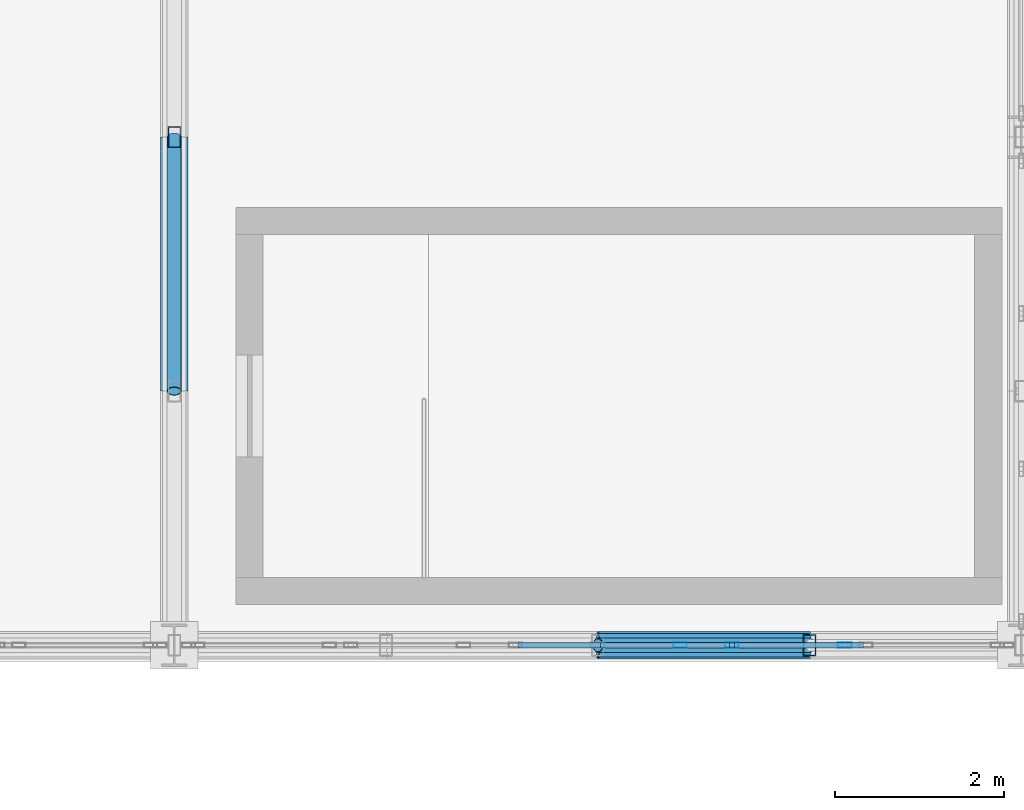
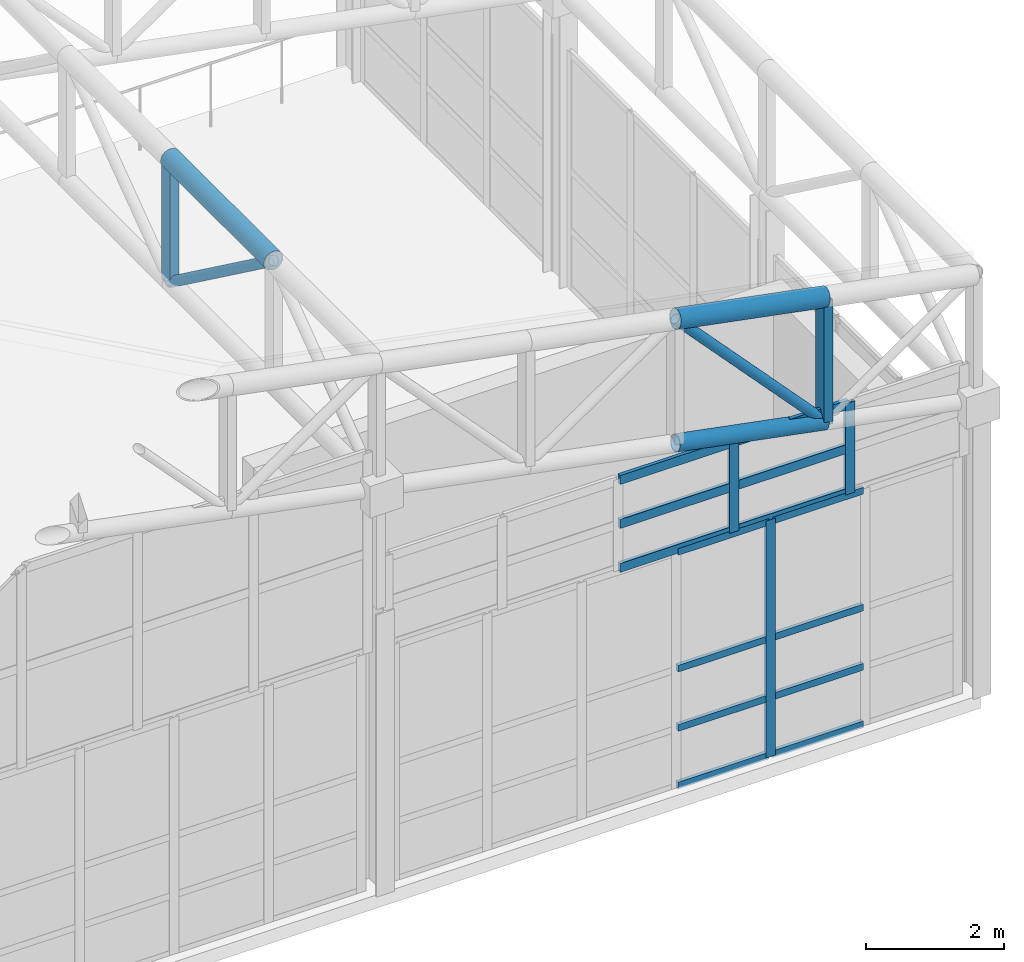
# One storey, part 52 of 112: 24 members, 2 elements without a shape of their own.
"""IFC4 building model written with IfcOpenShell, lengths in metres."""

from ifc_helpers import new_model, si_unit, direction, frame, origin, origin_2d, place, context, subcontext, project, spatial, hollow_rectangle, hollow_circle, extrude, material, material_profile, profile_set, type_object, element, aggregate, save


model = new_model("IFC4")

# Units and contexts
model_context = context("Model", 3, precision=1e-05, world=origin(), true_north=direction((0.0, 1.0)))
body_context = subcontext(model_context, "Body", "Model", "MODEL_VIEW")
ifc_project = project(units=[si_unit("LENGTHUNIT", "METRE"), si_unit("AREAUNIT", "SQUARE_METRE"), si_unit("VOLUMEUNIT", "CUBIC_METRE"), si_unit("PLANEANGLEUNIT", "RADIAN"), si_unit("MASSUNIT", "GRAM", prefix="KILO")], contexts=[model_context])

# Site, building, storey
site_placement = place(None, origin())
site = spatial("IfcSite", under=ifc_project, at=site_placement, CompositionType="ELEMENT")
building_placement = place(site_placement, origin())
building = spatial("IfcBuilding", under=site, at=building_placement, Name="Kaldris Quays Convention Centre", CompositionType="ELEMENT")
storey_placement = place(building_placement, frame((0.0, 0.0, 16.800048828125)))
storey = spatial("IfcBuildingStorey", under=building, at=storey_placement, Name="L03", CompositionType="ELEMENT", Elevation=16.800048828125)

# Curtain wall, member
ifc_material_1 = material(Name="Anodized aluminium AW-6060 and triple glazing", Category="aluminium")
curtain_wall_type_1 = type_object("IfcCurtainWallType", Name="UNITISED CURTAIN WALL CW01", PredefinedType="NOTDEFINED", material=ifc_material_1)
curtain_wall_1_placement = place(storey_placement, origin())
curtain_wall_1 = element("IfcCurtainWall", 1, at=curtain_wall_1_placement, inside=storey, type_object=curtain_wall_type_1, Name="L03 Unitised Curtain Wall CW01 39", PredefinedType="NOTDEFINED")
ifc_material_2 = material(Name="Anodized aluminium AW-6060", Category="aluminium")
ifc_material_profile_1 = material_profile(ifc_material_2, hollow_rectangle(XDim=0.06005859375, YDim=0.159912109375, WallThickness=0.00390625, at=origin_2d()), Name="RHS 160x60x4")
ifc_profile_set_1 = profile_set([ifc_material_profile_1], Name="Anodized aluminium AW-6060")
member_type_1 = type_object("IfcMemberType", Name="CURTAIN MULLION CWM1", PredefinedType="MULLION", material=ifc_profile_set_1)
member_1_placement = place(storey_placement, frame((200.583251953125, 56.0, 0.0), z_axis=(0.0, 0.0, 1.0), x_axis=(0.0, 1.0, 0.0)))
member_1 = element("IfcMember", 2, at=member_1_placement, type_object=member_type_1, Name="CW01 mullion 5", PredefinedType="MULLION", context=body_context, shape_type="SweptSolid", body=[
    extrude(hollow_rectangle(XDim=0.06005859375, YDim=0.159912109375, WallThickness=0.00390625, at=origin_2d()), origin(), (0.0, 0.0, 1.0), 4.199951171875),
])

# Curtain wall, members
curtain_wall_type_2 = type_object("IfcCurtainWallType", Name="UNITISED CURTAIN WALL CW05", PredefinedType="NOTDEFINED", material=ifc_material_1)
curtain_wall_2_placement = place(storey_placement, origin())
curtain_wall_2 = element("IfcCurtainWall", 3, at=curtain_wall_2_placement, inside=storey, type_object=curtain_wall_type_2, Name="L03 Unitised Curtain Wall CW05 258", PredefinedType="NOTDEFINED")
member_2_placement = place(storey_placement, frame((199.971923828125, 56.0, 4.195068359375), z_axis=(0.0, 0.0, 1.0), x_axis=(0.0, 1.0, 0.0)))
member_2 = element("IfcMember", 4, at=member_2_placement, type_object=member_type_1, Name="CW05 mullion 4", PredefinedType="MULLION", context=body_context, shape_type="SweptSolid", body=[
    extrude(hollow_rectangle(XDim=0.06005859375, YDim=0.159912109375, WallThickness=0.00390625, at=origin_2d()), origin(), (0.0, 0.0, 1.0), 1.618896484375),
])
member_3_placement = place(storey_placement, frame((201.916015625, 56.0, 4.195068359375), z_axis=(0.0, 0.0, 1.0), x_axis=(0.0, 1.0, 0.0)))
member_3 = element("IfcMember", 5, at=member_3_placement, type_object=member_type_1, Name="CW05 mullion 5", PredefinedType="MULLION", context=body_context, shape_type="SweptSolid", body=[
    extrude(hollow_rectangle(XDim=0.06005859375, YDim=0.159912109375, WallThickness=0.00390625, at=origin_2d()), origin(), (0.0, 0.0, 1.0), 1.618896484375),
])

# Member
ifc_material_profile_2 = material_profile(ifc_material_2, hollow_rectangle(XDim=0.06005859375, YDim=0.1201171875, WallThickness=0.00390625, at=origin_2d()), Name="RHS 120x60x4")
ifc_profile_set_2 = profile_set([ifc_material_profile_2], Name="Anodized aluminium AW-6060")
member_type_2 = type_object("IfcMemberType", Name="CURTAIN TRANSOM CWT1", PredefinedType="USERDEFINED", material=ifc_profile_set_2)
member_4_placement = place(storey_placement, frame((199.030029296875, 56.0, 0.030029296875), z_axis=(1.0, 0.0, 0.0), x_axis=(0.0, 1.0, 0.0)))
member_4 = element("IfcMember", 6, at=member_4_placement, type_object=member_type_2, Name="CW01 transom 4.1", ObjectType="TRANSOM", PredefinedType="USERDEFINED", context=body_context, shape_type="SweptSolid", body=[
    extrude(hollow_rectangle(XDim=0.06005859375, YDim=0.1201171875, WallThickness=0.00390625, at=origin_2d()), origin(), (0.0, 0.0, 1.0), 1.523193359375),
])

member_5_placement = place(storey_placement, frame((199.030029296875, 56.0, 1.050048828125), z_axis=(1.0, 0.0, 0.0), x_axis=(0.0, 1.0, 0.0)))
member_5 = element("IfcMember", 7, at=member_5_placement, type_object=member_type_2, Name="CW01 transom 4.2", ObjectType="TRANSOM", PredefinedType="USERDEFINED", context=body_context, shape_type="SweptSolid", body=[
    extrude(hollow_rectangle(XDim=0.06005859375, YDim=0.1201171875, WallThickness=0.00390625, at=origin_2d()), origin(), (0.0, 0.0, 1.0), 1.523193359375),
])

member_6_placement = place(storey_placement, frame((199.030029296875, 56.0, 2.099853515625), z_axis=(1.0, 0.0, 0.0), x_axis=(0.0, 1.0, 0.0)))
member_6 = element("IfcMember", 8, at=member_6_placement, type_object=member_type_2, Name="CW01 transom 4.3", ObjectType="TRANSOM", PredefinedType="USERDEFINED", context=body_context, shape_type="SweptSolid", body=[
    extrude(hollow_rectangle(XDim=0.06005859375, YDim=0.1201171875, WallThickness=0.00390625, at=origin_2d()), origin(), (0.0, 0.0, 1.0), 1.523193359375),
])

member_7_placement = place(storey_placement, frame((199.030029296875, 56.0, 4.169921875), z_axis=(1.0, 0.0, 0.0), x_axis=(0.0, 1.0, 0.0)))
member_7 = element("IfcMember", 9, at=member_7_placement, type_object=member_type_2, Name="CW01 transom 4.4", ObjectType="TRANSOM", PredefinedType="USERDEFINED", context=body_context, shape_type="SweptSolid", body=[
    extrude(hollow_rectangle(XDim=0.06005859375, YDim=0.1201171875, WallThickness=0.00390625, at=origin_2d()), origin(), (0.0, 0.0, 1.0), 1.523193359375),
])

member_8_placement = place(storey_placement, frame((200.61328125, 56.0, 0.030029296875), z_axis=(1.0, 0.0, 0.0), x_axis=(0.0, 1.0, 0.0)))
member_8 = element("IfcMember", 10, at=member_8_placement, type_object=member_type_2, Name="CW01 transom 5.1", ObjectType="TRANSOM", PredefinedType="USERDEFINED", context=body_context, shape_type="SweptSolid", body=[
    extrude(hollow_rectangle(XDim=0.06005859375, YDim=0.1201171875, WallThickness=0.00390625, at=origin_2d()), origin(), (0.0, 0.0, 1.0), 1.5234375),
])

member_9_placement = place(storey_placement, frame((200.61328125, 56.0, 1.050048828125), z_axis=(1.0, 0.0, 0.0), x_axis=(0.0, 1.0, 0.0)))
member_9 = element("IfcMember", 11, at=member_9_placement, type_object=member_type_2, Name="CW01 transom 5.2", ObjectType="TRANSOM", PredefinedType="USERDEFINED", context=body_context, shape_type="SweptSolid", body=[
    extrude(hollow_rectangle(XDim=0.06005859375, YDim=0.1201171875, WallThickness=0.00390625, at=origin_2d()), origin(), (0.0, 0.0, 1.0), 1.5234375),
])

member_10_placement = place(storey_placement, frame((200.61328125, 56.0, 2.099853515625), z_axis=(1.0, 0.0, 0.0), x_axis=(0.0, 1.0, 0.0)))
member_10 = element("IfcMember", 12, at=member_10_placement, type_object=member_type_2, Name="CW01 transom 5.3", ObjectType="TRANSOM", PredefinedType="USERDEFINED", context=body_context, shape_type="SweptSolid", body=[
    extrude(hollow_rectangle(XDim=0.06005859375, YDim=0.1201171875, WallThickness=0.00390625, at=origin_2d()), origin(), (0.0, 0.0, 1.0), 1.5234375),
])

member_11_placement = place(storey_placement, frame((200.61328125, 56.0, 4.169921875), z_axis=(1.0, 0.0, 0.0), x_axis=(0.0, 1.0, 0.0)))
member_11 = element("IfcMember", 13, at=member_11_placement, type_object=member_type_2, Name="CW01 transom 5.4", ObjectType="TRANSOM", PredefinedType="USERDEFINED", context=body_context, shape_type="SweptSolid", body=[
    extrude(hollow_rectangle(XDim=0.06005859375, YDim=0.1201171875, WallThickness=0.00390625, at=origin_2d()), origin(), (0.0, 0.0, 1.0), 1.5234375),
])

aggregate(curtain_wall_1, [member_1, member_4, member_5, member_6, member_7, member_8, member_9, member_10, member_11])

ifc_material_profile_3 = material_profile(ifc_material_2, hollow_rectangle(XDim=0.06005859375, YDim=0.159912109375, WallThickness=0.00390625, at=origin_2d()), Name="RHS 160x60x4")
ifc_profile_set_3 = profile_set([ifc_material_profile_3], Name="Anodized aluminium AW-6060")
member_type_3 = type_object("IfcMemberType", Name="CURTAIN TRANSOM CWT2", PredefinedType="USERDEFINED", material=ifc_profile_set_3)
member_12_placement = place(storey_placement, frame((198.05810546875, 56.0, 4.224853515625), z_axis=(1.0, 0.0, 0.0), x_axis=(0.0, 1.0, 0.0)))
member_12 = element("IfcMember", 14, at=member_12_placement, type_object=member_type_3, Name="CW05 transom 3.1", ObjectType="TRANSOM", PredefinedType="USERDEFINED", context=body_context, shape_type="SweptSolid", body=[
    extrude(hollow_rectangle(XDim=0.06005859375, YDim=0.159912109375, WallThickness=0.00390625, at=origin_2d()), origin(), (0.0, 0.0, 1.0), 1.8837890625),
])

member_13_placement = place(storey_placement, frame((198.05810546875, 56.0, 5.0048828125), z_axis=(1.0, 0.0, 0.0), x_axis=(0.0, 1.0, 0.0)))
member_13 = element("IfcMember", 15, at=member_13_placement, type_object=member_type_3, Name="CW05 transom 3.2", ObjectType="TRANSOM", PredefinedType="USERDEFINED", context=body_context, shape_type="SweptSolid", body=[
    extrude(hollow_rectangle(XDim=0.06005859375, YDim=0.159912109375, WallThickness=0.00390625, at=origin_2d()), origin(), (0.0, 0.0, 1.0), 1.8837890625),
])

member_14_placement = place(storey_placement, frame((198.05810546875, 56.0, 5.783935546875), z_axis=(1.0, 0.0, 0.0), x_axis=(0.0, 1.0, 0.0)))
member_14 = element("IfcMember", 16, at=member_14_placement, type_object=member_type_3, Name="CW05 transom 3.3", ObjectType="TRANSOM", PredefinedType="USERDEFINED", context=body_context, shape_type="SweptSolid", body=[
    extrude(hollow_rectangle(XDim=0.06005859375, YDim=0.159912109375, WallThickness=0.00390625, at=origin_2d()), origin(), (0.0, 0.0, 1.0), 1.8837890625),
])

member_15_placement = place(storey_placement, frame((200.001953125, 56.0, 4.224853515625), z_axis=(1.0, 0.0, 0.0), x_axis=(0.0, 1.0, 0.0)))
member_15 = element("IfcMember", 17, at=member_15_placement, type_object=member_type_3, Name="CW05 transom 4.1", ObjectType="TRANSOM", PredefinedType="USERDEFINED", context=body_context, shape_type="SweptSolid", body=[
    extrude(hollow_rectangle(XDim=0.06005859375, YDim=0.159912109375, WallThickness=0.00390625, at=origin_2d()), origin(), (0.0, 0.0, 1.0), 1.884033203125),
])

member_16_placement = place(storey_placement, frame((200.001953125, 56.0, 5.0048828125), z_axis=(1.0, 0.0, 0.0), x_axis=(0.0, 1.0, 0.0)))
member_16 = element("IfcMember", 18, at=member_16_placement, type_object=member_type_3, Name="CW05 transom 4.2", ObjectType="TRANSOM", PredefinedType="USERDEFINED", context=body_context, shape_type="SweptSolid", body=[
    extrude(hollow_rectangle(XDim=0.06005859375, YDim=0.159912109375, WallThickness=0.00390625, at=origin_2d()), origin(), (0.0, 0.0, 1.0), 1.884033203125),
])

member_17_placement = place(storey_placement, frame((200.001953125, 56.0, 5.783935546875), z_axis=(1.0, 0.0, 0.0), x_axis=(0.0, 1.0, 0.0)))
member_17 = element("IfcMember", 19, at=member_17_placement, type_object=member_type_3, Name="CW05 transom 4.3", ObjectType="TRANSOM", PredefinedType="USERDEFINED", context=body_context, shape_type="SweptSolid", body=[
    extrude(hollow_rectangle(XDim=0.06005859375, YDim=0.159912109375, WallThickness=0.00390625, at=origin_2d()), origin(), (0.0, 0.0, 1.0), 1.884033203125),
])

aggregate(curtain_wall_2, [member_2, member_3, member_12, member_13, member_14, member_15, member_16, member_17])

# Members
ifc_material_3 = material(Name="Steel S355J2H", Category="steel")
ifc_material_profile_4 = material_profile(ifc_material_3, hollow_circle(Radius=0.161865234375, WallThickness=0.01611328125, at=origin_2d()), Name="CHS 323.9x16")
ifc_profile_set_4 = profile_set([ifc_material_profile_4], Name="Steel S355J2H")
member_type_4 = type_object("IfcMemberType", Name="STRUCTURAL MEMBER SC03", PredefinedType="CHORD", material=ifc_profile_set_4)
member_18_placement = place(storey_placement, frame((199.0, 56.0, 8.294921875), z_axis=(0.981903710383, 0.0, -0.189380842579), x_axis=(0.0, 1.0, 0.0)))
element("IfcMember", 20, at=member_18_placement, inside=storey, type_object=member_type_4, Name="SF-V2 Top Chord X 14", PredefinedType="CHORD", context=body_context, shape_type="SweptSolid", body=[
    extrude(hollow_circle(Radius=0.161865234375, WallThickness=0.01611328125, at=origin_2d()), origin(), (0.0, 0.0, 1.0), 2.546142578125),
])
member_19_placement = place(storey_placement, frame((194.0, 59.0, 9.25927734375), z_axis=(0.0, 1.0, 0.0), x_axis=(-1.0, 0.0, 0.0)))
element("IfcMember", 21, at=member_19_placement, inside=storey, type_object=member_type_4, Name="SF-V2 Top Chord Y 125", PredefinedType="CHORD", context=body_context, shape_type="SweptSolid", body=[
    extrude(hollow_circle(Radius=0.161865234375, WallThickness=0.01611328125, at=origin_2d()), origin(), (0.0, 0.0, 1.0), 3.0),
])
ifc_material_profile_5 = material_profile(ifc_material_3, hollow_circle(Radius=0.136474609375, WallThickness=0.012451171875, at=origin_2d()), Name="CHS 273x12.5")
ifc_profile_set_5 = profile_set([ifc_material_profile_5], Name="Steel S355J2H")
member_type_5 = type_object("IfcMemberType", Name="STRUCTURAL MEMBER SC04", PredefinedType="CHORD", material=ifc_profile_set_5)
member_20_placement = place(storey_placement, frame((199.0, 56.0, 6.094970703125), z_axis=(0.981885875429, 0.0, -0.189473290024), x_axis=(0.0, 1.0, 0.0)))
element("IfcMember", 22, at=member_20_placement, inside=storey, type_object=member_type_5, Name="SF-V2 Bottom Chord X 14", PredefinedType="CHORD", context=body_context, shape_type="SweptSolid", body=[
    extrude(hollow_circle(Radius=0.136474609375, WallThickness=0.012451171875, at=origin_2d()), origin(), (0.0, 0.0, 1.0), 2.546142578125),
])
ifc_material_profile_6 = material_profile(ifc_material_3, hollow_circle(Radius=0.084228515625, WallThickness=0.008056640625, at=origin_2d()), Name="CHS 168.3x8")
ifc_profile_set_6 = profile_set([ifc_material_profile_6], Name="Steel S355J2H")
member_type_6 = type_object("IfcMemberType", Name="STRUCTURAL MEMBER SWB2", PredefinedType="BRACE", material=ifc_profile_set_6)
member_21_placement = place(storey_placement, frame((201.5, 56.0, 5.612548828125), z_axis=(-0.681800921589, 0.0, 0.731537766162), x_axis=(0.0, -1.0, 0.0)))
element("IfcMember", 23, at=member_21_placement, inside=storey, type_object=member_type_6, Name="SF-V2 Web Diagonal X 14", PredefinedType="BRACE", context=body_context, shape_type="SweptSolid", body=[
    extrude(hollow_circle(Radius=0.084228515625, WallThickness=0.008056640625, at=origin_2d()), origin(), (0.0, 0.0, 1.0), 3.666748046875),
])
member_22_placement = place(storey_placement, frame((194.0, 62.0, 7.059326171875), z_axis=(0.0, -0.80641125493, 0.591355128432), x_axis=(1.0, 0.0, 0.0)))
element("IfcMember", 24, at=member_22_placement, inside=storey, type_object=member_type_6, Name="SF-V2 Web Diagonal Y 125", PredefinedType="BRACE", context=body_context, shape_type="SweptSolid", body=[
    extrude(hollow_circle(Radius=0.084228515625, WallThickness=0.008056640625, at=origin_2d()), origin(), (0.0, 0.0, 1.0), 3.72021484375),
])
ifc_material_profile_7 = material_profile(ifc_material_3, hollow_rectangle(XDim=0.14990234375, YDim=0.25, WallThickness=0.010009765625, at=origin_2d()), Name="RHS 250x150x10")
ifc_profile_set_7 = profile_set([ifc_material_profile_7], Name="Steel S355J2H")
member_type_7 = type_object("IfcMemberType", Name="STRUCTURAL MEMBER TTV1", PredefinedType="POST", material=ifc_profile_set_7)
member_23_placement = place(storey_placement, frame((194.0, 62.0, 7.059326171875), z_axis=(0.0, 0.0, 1.0), x_axis=(1.0, 0.0, 0.0)))
element("IfcMember", 25, at=member_23_placement, inside=storey, type_object=member_type_7, Name="SF-V2 Space-Frame Post 94", PredefinedType="POST", context=body_context, shape_type="SweptSolid", body=[
    extrude(hollow_rectangle(XDim=0.14990234375, YDim=0.25, WallThickness=0.010009765625, at=origin_2d()), origin(), (0.0, 0.0, 1.0), 2.199951171875),
])
member_24_placement = place(storey_placement, frame((201.5, 56.0, 5.612548828125), z_axis=(0.0, 0.0, 1.0), x_axis=(1.0, 0.0, 0.0)))
element("IfcMember", 26, at=member_24_placement, inside=storey, type_object=member_type_7, Name="SF-V2 Space-Frame Post 119", PredefinedType="POST", context=body_context, shape_type="SweptSolid", body=[
    extrude(hollow_rectangle(XDim=0.14990234375, YDim=0.25, WallThickness=0.010009765625, at=origin_2d()), origin(), (0.0, 0.0, 1.0), 2.2001953125),
])

save(model, "model.ifc")
